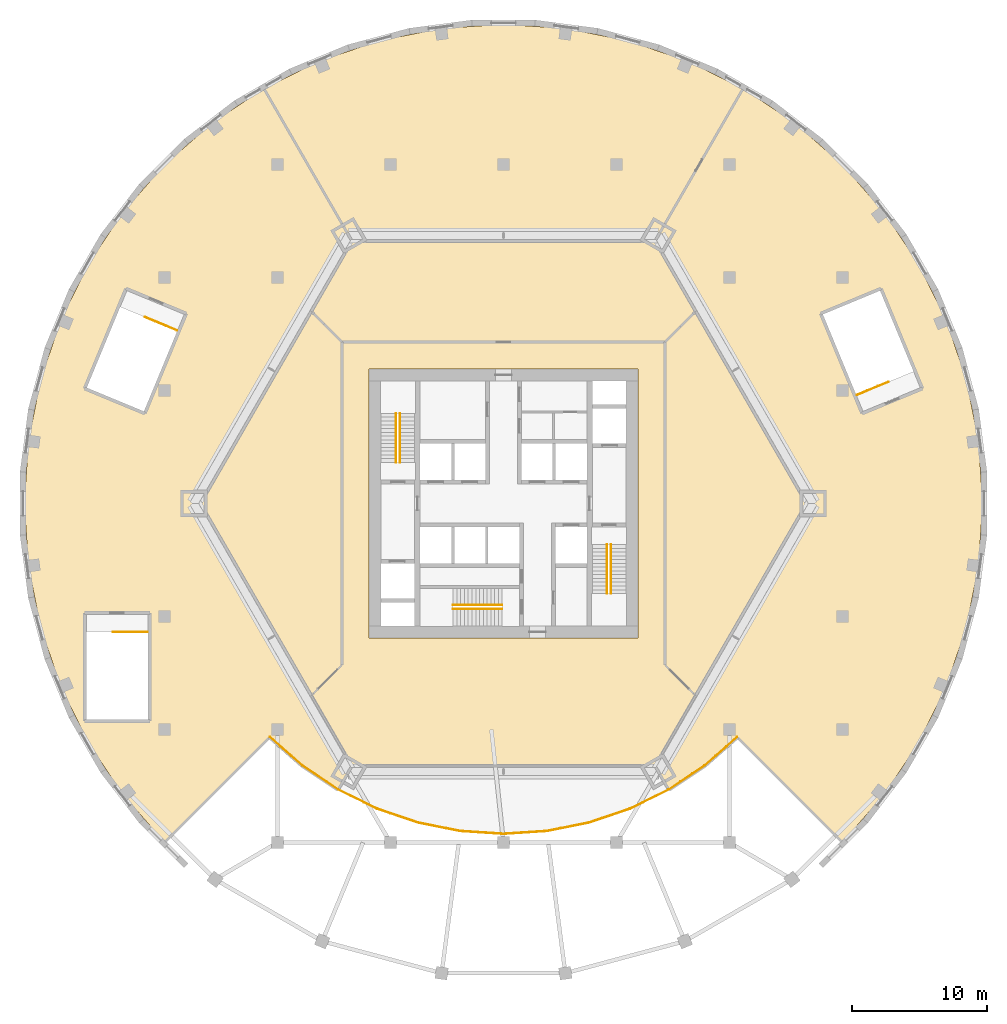
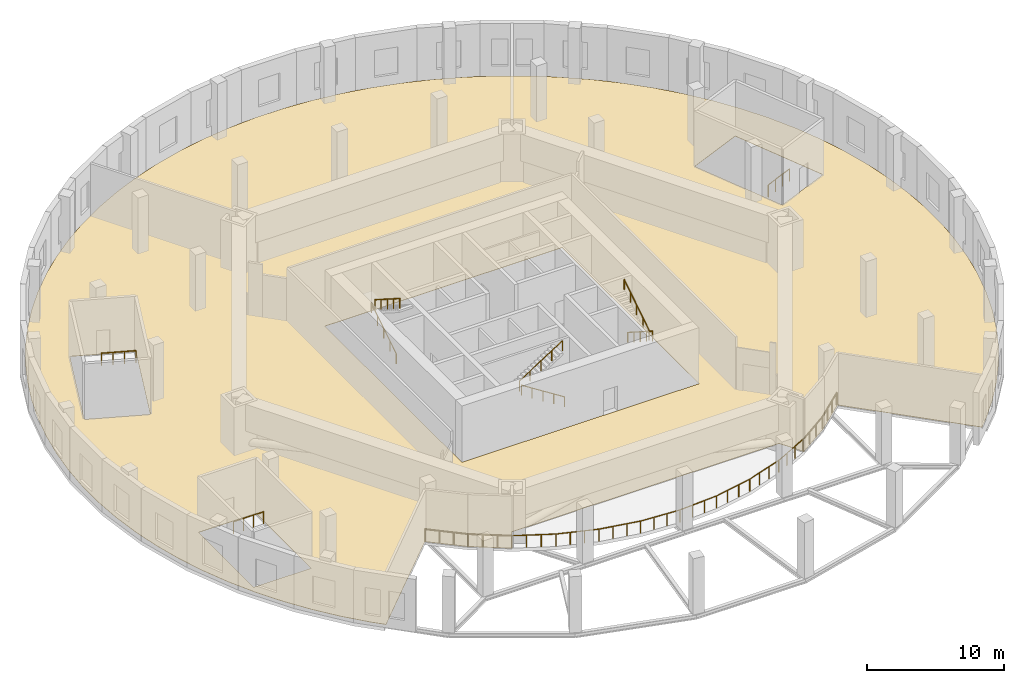
# One storey, part 10 of 10: 21 railings, 1 covering.
"""IFC4 building model written with IfcOpenShell, lengths in metres."""

from ifc_helpers import new_model, si_unit, direction, frame, origin, origin_2d, place, context, subcontext, project, spatial, polyline, circle, outline, extrude, material, layer, layer_set, type_object, element, save


model = new_model("IFC4")

# Units and contexts
model_context = context("Model", 3, precision=1e-05, world=origin(), true_north=direction((0.0, 1.0)))
body_context = subcontext(model_context, "Body", "Model", "MODEL_VIEW")
ifc_project = project(units=[si_unit("LENGTHUNIT", "METRE"), si_unit("AREAUNIT", "SQUARE_METRE"), si_unit("VOLUMEUNIT", "CUBIC_METRE"), si_unit("PLANEANGLEUNIT", "RADIAN"), si_unit("MASSUNIT", "GRAM", prefix="KILO")], contexts=[model_context])

# Site, building, storey
site_placement = place(None, origin())
site = spatial("IfcSite", under=ifc_project, at=site_placement, CompositionType="ELEMENT")
building_placement = place(site_placement, origin())
building = spatial("IfcBuilding", under=site, at=building_placement, Name="Golbaran Civic Tower", CompositionType="ELEMENT")
storey_placement = place(building_placement, frame((0.0, 0.0, 16.0)))
storey = spatial("IfcBuildingStorey", under=building, at=storey_placement, Name="L03", CompositionType="ELEMENT", Elevation=16.0)

# Railings
ifc_material_1 = material(Name="Laminated glass, bronze rail", Category="glass")
railing_type_1 = type_object("IfcRailingType", Name="ATRIUM BALUSTRADE 1100", PredefinedType="GUARDRAIL", material=ifc_material_1)
railing_1_placement = place(storey_placement, frame((-17.359375, -17.359375, 0.0)))
element("IfcRailing", 1, at=railing_1_placement, inside=storey, type_object=railing_type_1, Name="Atrium balustrade L03 1", PredefinedType="GUARDRAIL", context=body_context, shape_type="SweptSolid", body=[
    extrude(circle(Radius=0.02392578125, at=origin_2d()), frame((0.0, 0.0, 1.076171875), z_axis=(0.751817957378, -0.659370729532, 0.0), x_axis=(0.659370729532, 0.751817957378, 0.0)), (0.0, 0.0, 1.0), 3.211181640625),
    extrude(circle(Radius=0.02099609375, at=origin_2d()), origin(), (0.0, 0.0, 1.0), 1.052001953125),
    extrude(circle(Radius=0.02099609375, at=origin_2d()), frame((0.8046875, -0.705810546875, 0.0)), (0.0, 0.0, 1.0), 1.052001953125),
    extrude(circle(Radius=0.02099609375, at=origin_2d()), frame((1.609619140625, -1.41162109375, 0.0)), (0.0, 0.0, 1.0), 1.052001953125),
    extrude(circle(Radius=0.02099609375, at=origin_2d()), frame((2.414306640625, -2.117431640625, 0.0)), (0.0, 0.0, 1.0), 1.052001953125),
])
railing_2_placement = place(storey_placement, frame((-14.945068359375, -19.476806640625, 0.0)))
element("IfcRailing", 2, at=railing_2_placement, inside=storey, type_object=railing_type_1, Name="Atrium balustrade L03 2", PredefinedType="GUARDRAIL", context=body_context, shape_type="SweptSolid", body=[
    extrude(circle(Radius=0.02392578125, at=origin_2d()), frame((0.0, 0.0, 1.076171875), z_axis=(0.831465038594, -0.555577077997, 0.0), x_axis=(0.555577077997, 0.831465038594, 0.0)), (0.0, 0.0, 1.0), 3.21142578125),
    extrude(circle(Radius=0.02099609375, at=origin_2d()), origin(), (0.0, 0.0, 1.0), 1.052001953125),
    extrude(circle(Radius=0.02099609375, at=origin_2d()), frame((0.89013671875, -0.5947265625, 0.0)), (0.0, 0.0, 1.0), 1.052001953125),
    extrude(circle(Radius=0.02099609375, at=origin_2d()), frame((1.780029296875, -1.189453125, 0.0)), (0.0, 0.0, 1.0), 1.052001953125),
    extrude(circle(Radius=0.02099609375, at=origin_2d()), frame((2.670166015625, -1.7841796875, 0.0)), (0.0, 0.0, 1.0), 1.052001953125),
])
railing_3_placement = place(storey_placement, frame((-12.27490234375, -21.260986328125, 0.0)))
element("IfcRailing", 3, at=railing_3_placement, inside=storey, type_object=railing_type_1, Name="Atrium balustrade L03 3", PredefinedType="GUARDRAIL", context=body_context, shape_type="SweptSolid", body=[
    extrude(circle(Radius=0.02392578125, at=origin_2d()), frame((0.0, 0.0, 1.076171875), z_axis=(0.896891939114, -0.442249759246, 0.0), x_axis=(0.442249759246, 0.896891939114, 0.0)), (0.0, 0.0, 1.0), 3.211181640625),
    extrude(circle(Radius=0.02099609375, at=origin_2d()), origin(), (0.0, 0.0, 1.0), 1.052001953125),
    extrude(circle(Radius=0.02099609375, at=origin_2d()), frame((0.9599609375, -0.473388671875, 0.0)), (0.0, 0.0, 1.0), 1.052001953125),
    extrude(circle(Radius=0.02099609375, at=origin_2d()), frame((1.920166015625, -0.94677734375, 0.0)), (0.0, 0.0, 1.0), 1.052001953125),
    extrude(circle(Radius=0.02099609375, at=origin_2d()), frame((2.880126953125, -1.420166015625, 0.0)), (0.0, 0.0, 1.0), 1.052001953125),
])
railing_4_placement = place(storey_placement, frame((-9.394775390625, -22.68115234375, 0.0)))
element("IfcRailing", 4, at=railing_4_placement, inside=storey, type_object=railing_type_1, Name="Atrium balustrade L03 4", PredefinedType="GUARDRAIL", context=body_context, shape_type="SweptSolid", body=[
    extrude(circle(Radius=0.02392578125, at=origin_2d()), frame((0.0, 0.0, 1.076171875), z_axis=(0.946927879989, -0.321446092059, 0.0), x_axis=(0.321446092059, 0.946927879989, 0.0)), (0.0, 0.0, 1.0), 3.211181640625),
    extrude(circle(Radius=0.02099609375, at=origin_2d()), origin(), (0.0, 0.0, 1.0), 1.052001953125),
    extrude(circle(Radius=0.02099609375, at=origin_2d()), frame((1.013671875, -0.343994140625, 0.0)), (0.0, 0.0, 1.0), 1.052001953125),
    extrude(circle(Radius=0.02099609375, at=origin_2d()), frame((2.027099609375, -0.688232421875, 0.0)), (0.0, 0.0, 1.0), 1.052001953125),
    extrude(circle(Radius=0.02099609375, at=origin_2d()), frame((3.040771484375, -1.0322265625, 0.0)), (0.0, 0.0, 1.0), 1.052001953125),
])
railing_5_placement = place(storey_placement, frame((-6.35400390625, -23.71337890625, 0.0)))
element("IfcRailing", 5, at=railing_5_placement, inside=storey, type_object=railing_type_1, Name="Atrium balustrade L03 5", PredefinedType="GUARDRAIL", context=body_context, shape_type="SweptSolid", body=[
    extrude(circle(Radius=0.02392578125, at=origin_2d()), frame((0.0, 0.0, 1.076171875), z_axis=(0.9807731825, -0.19515113243, 0.0), x_axis=(0.19515113243, 0.9807731825, 0.0)), (0.0, 0.0, 1.0), 3.21142578125),
    extrude(circle(Radius=0.02099609375, at=origin_2d()), origin(), (0.0, 0.0, 1.0), 1.052001953125),
    extrude(circle(Radius=0.02099609375, at=origin_2d()), frame((1.0498046875, -0.208984375, 0.0)), (0.0, 0.0, 1.0), 1.052001953125),
    extrude(circle(Radius=0.02099609375, at=origin_2d()), frame((2.099853515625, -0.417724609375, 0.0)), (0.0, 0.0, 1.0), 1.052001953125),
    extrude(circle(Radius=0.02099609375, at=origin_2d()), frame((3.149658203125, -0.626708984375, 0.0)), (0.0, 0.0, 1.0), 1.052001953125),
])
railing_6_placement = place(storey_placement, frame((-3.204345703125, -24.340087890625, 0.0)))
element("IfcRailing", 6, at=railing_6_placement, inside=storey, type_object=railing_type_1, Name="Atrium balustrade L03 6", PredefinedType="GUARDRAIL", context=body_context, shape_type="SweptSolid", body=[
    extrude(circle(Radius=0.02392578125, at=origin_2d()), frame((0.0, 0.0, 1.076171875), z_axis=(0.997860202938, -0.065383601869, 0.0), x_axis=(0.065383601869, 0.997860202938, 0.0)), (0.0, 0.0, 1.0), 3.211181640625),
    extrude(circle(Radius=0.02099609375, at=origin_2d()), origin(), (0.0, 0.0, 1.0), 1.052001953125),
    extrude(circle(Radius=0.02099609375, at=origin_2d()), frame((1.068115234375, -0.070068359375, 0.0)), (0.0, 0.0, 1.0), 1.052001953125),
    extrude(circle(Radius=0.02099609375, at=origin_2d()), frame((2.13623046875, -0.139892578125, 0.0)), (0.0, 0.0, 1.0), 1.052001953125),
    extrude(circle(Radius=0.02099609375, at=origin_2d()), frame((3.204345703125, -0.2099609375, 0.0)), (0.0, 0.0, 1.0), 1.052001953125),
])
railing_7_placement = place(storey_placement, frame((0.0, -24.550048828125, 0.0)))
element("IfcRailing", 7, at=railing_7_placement, inside=storey, type_object=railing_type_1, Name="Atrium balustrade L03 7", PredefinedType="GUARDRAIL", context=body_context, shape_type="SweptSolid", body=[
    extrude(circle(Radius=0.02392578125, at=origin_2d()), frame((0.0, 0.0, 1.076171875), z_axis=(0.997860202938, 0.065383601869, 0.0), x_axis=(-0.065383601869, 0.997860202938, 0.0)), (0.0, 0.0, 1.0), 3.211181640625),
    extrude(circle(Radius=0.02099609375, at=origin_2d()), origin(), (0.0, 0.0, 1.0), 1.052001953125),
    extrude(circle(Radius=0.02099609375, at=origin_2d()), frame((1.068115234375, 0.070068359375, 0.0)), (0.0, 0.0, 1.0), 1.052001953125),
    extrude(circle(Radius=0.02099609375, at=origin_2d()), frame((2.13623046875, 0.139892578125, 0.0)), (0.0, 0.0, 1.0), 1.052001953125),
    extrude(circle(Radius=0.02099609375, at=origin_2d()), frame((3.204345703125, 0.2099609375, 0.0)), (0.0, 0.0, 1.0), 1.052001953125),
])
railing_8_placement = place(storey_placement, frame((3.204345703125, -24.340087890625, 0.0)))
element("IfcRailing", 8, at=railing_8_placement, inside=storey, type_object=railing_type_1, Name="Atrium balustrade L03 8", PredefinedType="GUARDRAIL", context=body_context, shape_type="SweptSolid", body=[
    extrude(circle(Radius=0.02392578125, at=origin_2d()), frame((0.0, 0.0, 1.076171875), z_axis=(0.9807731825, 0.19515113243, 0.0), x_axis=(-0.19515113243, 0.9807731825, 0.0)), (0.0, 0.0, 1.0), 3.21142578125),
    extrude(circle(Radius=0.02099609375, at=origin_2d()), origin(), (0.0, 0.0, 1.0), 1.052001953125),
    extrude(circle(Radius=0.02099609375, at=origin_2d()), frame((1.0498046875, 0.208984375, 0.0)), (0.0, 0.0, 1.0), 1.052001953125),
    extrude(circle(Radius=0.02099609375, at=origin_2d()), frame((2.099853515625, 0.417724609375, 0.0)), (0.0, 0.0, 1.0), 1.052001953125),
    extrude(circle(Radius=0.02099609375, at=origin_2d()), frame((3.149658203125, 0.626708984375, 0.0)), (0.0, 0.0, 1.0), 1.052001953125),
])
railing_9_placement = place(storey_placement, frame((6.35400390625, -23.71337890625, 0.0)))
element("IfcRailing", 9, at=railing_9_placement, inside=storey, type_object=railing_type_1, Name="Atrium balustrade L03 9", PredefinedType="GUARDRAIL", context=body_context, shape_type="SweptSolid", body=[
    extrude(circle(Radius=0.02392578125, at=origin_2d()), frame((0.0, 0.0, 1.076171875), z_axis=(0.946927879989, 0.321446092059, 0.0), x_axis=(-0.321446092059, 0.946927879989, 0.0)), (0.0, 0.0, 1.0), 3.211181640625),
    extrude(circle(Radius=0.02099609375, at=origin_2d()), origin(), (0.0, 0.0, 1.0), 1.052001953125),
    extrude(circle(Radius=0.02099609375, at=origin_2d()), frame((1.013671875, 0.343994140625, 0.0)), (0.0, 0.0, 1.0), 1.052001953125),
    extrude(circle(Radius=0.02099609375, at=origin_2d()), frame((2.027099609375, 0.688232421875, 0.0)), (0.0, 0.0, 1.0), 1.052001953125),
    extrude(circle(Radius=0.02099609375, at=origin_2d()), frame((3.040771484375, 1.0322265625, 0.0)), (0.0, 0.0, 1.0), 1.052001953125),
])
railing_10_placement = place(storey_placement, frame((9.394775390625, -22.68115234375, 0.0)))
element("IfcRailing", 10, at=railing_10_placement, inside=storey, type_object=railing_type_1, Name="Atrium balustrade L03 10", PredefinedType="GUARDRAIL", context=body_context, shape_type="SweptSolid", body=[
    extrude(circle(Radius=0.02392578125, at=origin_2d()), frame((0.0, 0.0, 1.076171875), z_axis=(0.896891939114, 0.442249759246, 0.0), x_axis=(-0.442249759246, 0.896891939114, 0.0)), (0.0, 0.0, 1.0), 3.211181640625),
    extrude(circle(Radius=0.02099609375, at=origin_2d()), origin(), (0.0, 0.0, 1.0), 1.052001953125),
    extrude(circle(Radius=0.02099609375, at=origin_2d()), frame((0.9599609375, 0.473388671875, 0.0)), (0.0, 0.0, 1.0), 1.052001953125),
    extrude(circle(Radius=0.02099609375, at=origin_2d()), frame((1.920166015625, 0.94677734375, 0.0)), (0.0, 0.0, 1.0), 1.052001953125),
    extrude(circle(Radius=0.02099609375, at=origin_2d()), frame((2.880126953125, 1.420166015625, 0.0)), (0.0, 0.0, 1.0), 1.052001953125),
])
railing_11_placement = place(storey_placement, frame((12.27490234375, -21.260986328125, 0.0)))
element("IfcRailing", 11, at=railing_11_placement, inside=storey, type_object=railing_type_1, Name="Atrium balustrade L03 11", PredefinedType="GUARDRAIL", context=body_context, shape_type="SweptSolid", body=[
    extrude(circle(Radius=0.02392578125, at=origin_2d()), frame((0.0, 0.0, 1.076171875), z_axis=(0.831465038594, 0.555577077997, 0.0), x_axis=(-0.555577077997, 0.831465038594, 0.0)), (0.0, 0.0, 1.0), 3.21142578125),
    extrude(circle(Radius=0.02099609375, at=origin_2d()), origin(), (0.0, 0.0, 1.0), 1.052001953125),
    extrude(circle(Radius=0.02099609375, at=origin_2d()), frame((0.89013671875, 0.5947265625, 0.0)), (0.0, 0.0, 1.0), 1.052001953125),
    extrude(circle(Radius=0.02099609375, at=origin_2d()), frame((1.780029296875, 1.189453125, 0.0)), (0.0, 0.0, 1.0), 1.052001953125),
    extrude(circle(Radius=0.02099609375, at=origin_2d()), frame((2.670166015625, 1.7841796875, 0.0)), (0.0, 0.0, 1.0), 1.052001953125),
])
railing_12_placement = place(storey_placement, frame((14.945068359375, -19.476806640625, 0.0)))
element("IfcRailing", 12, at=railing_12_placement, inside=storey, type_object=railing_type_1, Name="Atrium balustrade L03 12", PredefinedType="GUARDRAIL", context=body_context, shape_type="SweptSolid", body=[
    extrude(circle(Radius=0.02392578125, at=origin_2d()), frame((0.0, 0.0, 1.076171875), z_axis=(0.751817957378, 0.659370729532, 0.0), x_axis=(-0.659370729532, 0.751817957378, 0.0)), (0.0, 0.0, 1.0), 3.211181640625),
    extrude(circle(Radius=0.02099609375, at=origin_2d()), origin(), (0.0, 0.0, 1.0), 1.052001953125),
    extrude(circle(Radius=0.02099609375, at=origin_2d()), frame((0.8046875, 0.705810546875, 0.0)), (0.0, 0.0, 1.0), 1.052001953125),
    extrude(circle(Radius=0.02099609375, at=origin_2d()), frame((1.609619140625, 1.41162109375, 0.0)), (0.0, 0.0, 1.0), 1.052001953125),
    extrude(circle(Radius=0.02099609375, at=origin_2d()), frame((2.414306640625, 2.117431640625, 0.0)), (0.0, 0.0, 1.0), 1.052001953125),
])
ifc_material_2 = material(Name="Steel balustrade", Category="steel")
railing_type_2 = type_object("IfcRailingType", Name="STAIR GUARD 1100", PredefinedType="GUARDRAIL", material=ifc_material_2)
railing_13_placement = place(storey_placement, frame((26.26318359375, 8.064208984375, 0.0)))
element("IfcRailing", 13, at=railing_13_placement, inside=storey, type_object=railing_type_2, Name="Stair P1 top landing guard", PredefinedType="GUARDRAIL", context=body_context, shape_type="SweptSolid", body=[
    extrude(circle(Radius=0.02392578125, at=origin_2d()), frame((0.0, 0.0, 1.076171875), z_axis=(0.923870956333, 0.382704136435, 0.0), x_axis=(-0.382704136435, 0.923870956333, 0.0)), (0.0, 0.0, 1.0), 2.5498046875),
    extrude(circle(Radius=0.02099609375, at=origin_2d()), origin(), (0.0, 0.0, 1.0), 1.052001953125),
    extrude(circle(Radius=0.02099609375, at=origin_2d()), frame((0.78515625, 0.3251953125, 0.0)), (0.0, 0.0, 1.0), 1.052001953125),
    extrude(circle(Radius=0.02099609375, at=origin_2d()), frame((1.570556640625, 0.650634765625, 0.0)), (0.0, 0.0, 1.0), 1.052001953125),
    extrude(circle(Radius=0.02099609375, at=origin_2d()), frame((2.355712890625, 0.975830078125, 0.0)), (0.0, 0.0, 1.0), 1.052001953125),
])
railing_14_placement = place(storey_placement, frame((-24.273193359375, 12.868408203125, 0.0)))
element("IfcRailing", 14, at=railing_14_placement, inside=storey, type_object=railing_type_2, Name="Stair P2 top landing guard", PredefinedType="GUARDRAIL", context=body_context, shape_type="SweptSolid", body=[
    extrude(circle(Radius=0.02392578125, at=origin_2d()), frame((0.0, 0.0, 1.076171875), z_axis=(-0.923870956333, 0.382704136435, 0.0), x_axis=(-0.382704136435, -0.923870956333, 0.0)), (0.0, 0.0, 1.0), 2.5498046875),
    extrude(circle(Radius=0.02099609375, at=origin_2d()), origin(), (0.0, 0.0, 1.0), 1.052001953125),
    extrude(circle(Radius=0.02099609375, at=origin_2d()), frame((-0.78515625, 0.3251953125, 0.0)), (0.0, 0.0, 1.0), 1.052001953125),
    extrude(circle(Radius=0.02099609375, at=origin_2d()), frame((-1.570556640625, 0.650634765625, 0.0)), (0.0, 0.0, 1.0), 1.052001953125),
    extrude(circle(Radius=0.02099609375, at=origin_2d()), frame((-2.355712890625, 0.975830078125, 0.0)), (0.0, 0.0, 1.0), 1.052001953125),
])
railing_15_placement = place(storey_placement, frame((-26.449951171875, -9.550048828125, 0.0)))
element("IfcRailing", 15, at=railing_15_placement, inside=storey, type_object=railing_type_2, Name="Stair P3 top landing guard", PredefinedType="GUARDRAIL", context=body_context, shape_type="SweptSolid", body=[
    extrude(circle(Radius=0.02392578125, at=origin_2d()), frame((0.0, 0.0, 1.076171875), z_axis=(-1.0, 0.0, 0.0), x_axis=(0.0, -1.0, 0.0)), (0.0, 0.0, 1.0), 2.550048828125),
    extrude(circle(Radius=0.02099609375, at=origin_2d()), origin(), (0.0, 0.0, 1.0), 1.052001953125),
    extrude(circle(Radius=0.02099609375, at=origin_2d()), frame((-0.85009765625, 0.0, 0.0)), (0.0, 0.0, 1.0), 1.052001953125),
    extrude(circle(Radius=0.02099609375, at=origin_2d()), frame((-1.699951171875, 0.0, 0.0)), (0.0, 0.0, 1.0), 1.052001953125),
    extrude(circle(Radius=0.02099609375, at=origin_2d()), frame((-2.550048828125, 0.0, 0.0)), (0.0, 0.0, 1.0), 1.052001953125),
])
ifc_material_3 = material(Name="Stainless steel", Category="steel")
railing_type_3 = type_object("IfcRailingType", Name="STAIR HANDRAIL 900", PredefinedType="HANDRAIL", material=ifc_material_3)
railing_16_placement = place(storey_placement, frame((-8.0, 3.050048828125, 0.178466796875)))
element("IfcRailing", 16, at=railing_16_placement, inside=storey, type_object=railing_type_3, Name="Stair S1 handrail flight 1 L03", PredefinedType="HANDRAIL", context=body_context, shape_type="SweptSolid", body=[
    extrude(circle(Radius=0.02392578125, at=origin_2d()), frame((0.0, 0.0, 0.8759765625), z_axis=(0.0, 0.843111507901, 0.53773877045), x_axis=(-1.0, 0.0, 0.0)), (0.0, 0.0, 1.0), 4.317138671875),
    extrude(circle(Radius=0.02099609375, at=origin_2d()), origin(), (0.0, 0.0, 1.0), 0.851806640625),
    extrude(circle(Radius=0.02099609375, at=origin_2d()), frame((0.0, 0.909912109375, 0.580322265625)), (0.0, 0.0, 1.0), 0.851806640625),
    extrude(circle(Radius=0.02099609375, at=origin_2d()), frame((0.0, 1.81982421875, 1.16064453125)), (0.0, 0.0, 1.0), 0.851806640625),
    extrude(circle(Radius=0.02099609375, at=origin_2d()), frame((0.0, 2.72998046875, 1.7412109375)), (0.0, 0.0, 1.0), 0.851806640625),
    extrude(circle(Radius=0.02099609375, at=origin_2d()), frame((0.0, 3.639892578125, 2.321533203125)), (0.0, 0.0, 1.0), 0.851806640625),
])
for number, where, name in (
    (17, (-7.699951171875, 6.68994140625, 2.678466796875), "Stair S1 handrail flight 2 L03"),
    (18, (8.0, -3.050048828125, 0.178466796875), "Stair S2 handrail flight 1 L03"),
):
    element("IfcRailing", number, at=place(storey_placement, frame(where)), inside=storey, type_object=railing_type_3, Name=name, PredefinedType="HANDRAIL", context=body_context, shape_type="SweptSolid", body=[
        extrude(circle(Radius=0.02392578125, at=origin_2d()), frame((0.0, 0.0, 0.8759765625), z_axis=(0.0, -0.843111507901, 0.53773877045), x_axis=(1.0, 0.0, 0.0)), (0.0, 0.0, 1.0), 4.317138671875),
        extrude(circle(Radius=0.02099609375, at=origin_2d()), origin(), (0.0, 0.0, 1.0), 0.851806640625),
        extrude(circle(Radius=0.02099609375, at=origin_2d()), frame((0.0, -0.909912109375, 0.580322265625)), (0.0, 0.0, 1.0), 0.851806640625),
        extrude(circle(Radius=0.02099609375, at=origin_2d()), frame((0.0, -1.81982421875, 1.16064453125)), (0.0, 0.0, 1.0), 0.851806640625),
        extrude(circle(Radius=0.02099609375, at=origin_2d()), frame((0.0, -2.72998046875, 1.7412109375)), (0.0, 0.0, 1.0), 0.851806640625),
        extrude(circle(Radius=0.02099609375, at=origin_2d()), frame((0.0, -3.639892578125, 2.321533203125)), (0.0, 0.0, 1.0), 0.851806640625),
    ])
railing_17_placement = place(storey_placement, frame((7.699951171875, -6.68994140625, 2.678466796875)))
element("IfcRailing", 19, at=railing_17_placement, inside=storey, type_object=railing_type_3, Name="Stair S2 handrail flight 2 L03", PredefinedType="HANDRAIL", context=body_context, shape_type="SweptSolid", body=[
    extrude(circle(Radius=0.02392578125, at=origin_2d()), frame((0.0, 0.0, 0.8759765625), z_axis=(0.0, 0.843111507901, 0.53773877045), x_axis=(-1.0, 0.0, 0.0)), (0.0, 0.0, 1.0), 4.317138671875),
    extrude(circle(Radius=0.02099609375, at=origin_2d()), origin(), (0.0, 0.0, 1.0), 0.851806640625),
    extrude(circle(Radius=0.02099609375, at=origin_2d()), frame((0.0, 0.909912109375, 0.580322265625)), (0.0, 0.0, 1.0), 0.851806640625),
    extrude(circle(Radius=0.02099609375, at=origin_2d()), frame((0.0, 1.81982421875, 1.16064453125)), (0.0, 0.0, 1.0), 0.851806640625),
    extrude(circle(Radius=0.02099609375, at=origin_2d()), frame((0.0, 2.72998046875, 1.7412109375)), (0.0, 0.0, 1.0), 0.851806640625),
    extrude(circle(Radius=0.02099609375, at=origin_2d()), frame((0.0, 3.639892578125, 2.321533203125)), (0.0, 0.0, 1.0), 0.851806640625),
])
railing_18_placement = place(storey_placement, frame((-0.10009765625, -7.85009765625, 0.178466796875)))
element("IfcRailing", 20, at=railing_18_placement, inside=storey, type_object=railing_type_3, Name="Stair S3 handrail flight 1 L03", PredefinedType="HANDRAIL", context=body_context, shape_type="SweptSolid", body=[
    extrude(circle(Radius=0.02392578125, at=origin_2d()), frame((0.0, 0.0, 0.8759765625), z_axis=(-0.843111507901, 0.0, 0.53773877045), x_axis=(0.0, -1.0, 0.0)), (0.0, 0.0, 1.0), 4.317138671875),
    extrude(circle(Radius=0.02099609375, at=origin_2d()), origin(), (0.0, 0.0, 1.0), 0.851806640625),
    extrude(circle(Radius=0.02099609375, at=origin_2d()), frame((-0.909912109375, 0.0, 0.580322265625)), (0.0, 0.0, 1.0), 0.851806640625),
    extrude(circle(Radius=0.02099609375, at=origin_2d()), frame((-1.81982421875, 0.0, 1.16064453125)), (0.0, 0.0, 1.0), 0.851806640625),
    extrude(circle(Radius=0.02099609375, at=origin_2d()), frame((-2.72998046875, 0.0, 1.7412109375)), (0.0, 0.0, 1.0), 0.851806640625),
    extrude(circle(Radius=0.02099609375, at=origin_2d()), frame((-3.639892578125, 0.0, 2.321533203125)), (0.0, 0.0, 1.0), 0.851806640625),
])
railing_19_placement = place(storey_placement, frame((-3.739990234375, -7.550048828125, 2.678466796875)))
element("IfcRailing", 21, at=railing_19_placement, inside=storey, type_object=railing_type_3, Name="Stair S3 handrail flight 2 L03", PredefinedType="HANDRAIL", context=body_context, shape_type="SweptSolid", body=[
    extrude(circle(Radius=0.02392578125, at=origin_2d()), frame((0.0, 0.0, 0.8759765625), z_axis=(0.843111507901, 0.0, 0.53773877045), x_axis=(0.0, 1.0, 0.0)), (0.0, 0.0, 1.0), 4.317138671875),
    extrude(circle(Radius=0.02099609375, at=origin_2d()), origin(), (0.0, 0.0, 1.0), 0.851806640625),
    extrude(circle(Radius=0.02099609375, at=origin_2d()), frame((0.909912109375, 0.0, 0.580322265625)), (0.0, 0.0, 1.0), 0.851806640625),
    extrude(circle(Radius=0.02099609375, at=origin_2d()), frame((1.81982421875, 0.0, 1.16064453125)), (0.0, 0.0, 1.0), 0.851806640625),
    extrude(circle(Radius=0.02099609375, at=origin_2d()), frame((2.72998046875, 0.0, 1.7412109375)), (0.0, 0.0, 1.0), 0.851806640625),
    extrude(circle(Radius=0.02099609375, at=origin_2d()), frame((3.639892578125, 0.0, 2.321533203125)), (0.0, 0.0, 1.0), 0.851806640625),
])

# Covering
ifc_material_4 = material(Name="Travertine tile on mortar bed", Category="masonry")
ifc_layer = layer(ifc_material_4, 0.030029296875, Name="Travertine tile on mortar bed")
ifc_layer_set = layer_set([ifc_layer], Name="Travertine tile on mortar bed")
covering_type = type_object("IfcCoveringType", Name="STONE FLOOR FINISH 30", PredefinedType="FLOORING", material=ifc_layer_set)
covering_placement = place(storey_placement, frame((0.0, 0.0, -0.030029296875)))
element("IfcCovering", 22, at=covering_placement, inside=storey, type_object=covering_type, Name="Stone floor finish L03", PredefinedType="FLOORING", context=body_context, shape_type="SweptSolid", body=[
    extrude(outline(polyline([(-17.394775390625, -17.394775390625), (-25.119140625, -25.119140625), (-25.94140625, -24.296875), (-27.474853515625, -22.548095703125), (-28.890869140625, -20.702880859375), (-30.18310546875, -18.76904296875), (-31.345947265625, -16.7548828125), (-32.374755859375, -14.668701171875), (-33.2646484375, -12.52001953125), (-34.012451171875, -10.317626953125), (-34.6142578125, -8.071044921875), (-35.068115234375, -5.789794921875), (-35.37158203125, -3.48388671875), (-35.523681640625, -1.162841796875), (-35.523681640625, 1.162841796875), (-35.37158203125, 3.48388671875), (-35.068115234375, 5.789794921875), (-34.6142578125, 8.071044921875), (-34.012451171875, 10.317626953125), (-33.2646484375, 12.52001953125), (-32.374755859375, 14.668701171875), (-31.345947265625, 16.7548828125), (-30.18310546875, 18.76904296875), (-28.890869140625, 20.702880859375), (-27.474853515625, 22.548095703125), (-25.94140625, 24.296875), (-24.296875, 25.94140625), (-22.548095703125, 27.474853515625), (-20.702880859375, 28.890869140625), (-18.76904296875, 30.18310546875), (-16.7548828125, 31.345947265625), (-14.668701171875, 32.374755859375), (-12.52001953125, 33.2646484375), (-10.317626953125, 34.012451171875), (-8.071044921875, 34.6142578125), (-5.789794921875, 35.068115234375), (-3.48388671875, 35.37158203125), (-1.162841796875, 35.523681640625), (1.162841796875, 35.523681640625), (3.48388671875, 35.37158203125), (5.789794921875, 35.068115234375), (8.071044921875, 34.6142578125), (10.317626953125, 34.012451171875), (12.52001953125, 33.2646484375), (14.668701171875, 32.374755859375), (16.7548828125, 31.345947265625), (18.76904296875, 30.18310546875), (20.702880859375, 28.890869140625), (22.548095703125, 27.474853515625), (24.296875, 25.94140625), (25.94140625, 24.296875), (27.474853515625, 22.548095703125), (28.890869140625, 20.702880859375), (30.18310546875, 18.76904296875), (31.345947265625, 16.7548828125), (32.374755859375, 14.668701171875), (33.2646484375, 12.52001953125), (34.012451171875, 10.317626953125), (34.6142578125, 8.071044921875), (35.068115234375, 5.789794921875), (35.37158203125, 3.48388671875), (35.523681640625, 1.162841796875), (35.523681640625, -1.162841796875), (35.37158203125, -3.48388671875), (35.068115234375, -5.789794921875), (34.6142578125, -8.071044921875), (34.012451171875, -10.317626953125), (33.2646484375, -12.52001953125), (32.374755859375, -14.668701171875), (31.345947265625, -16.7548828125), (30.18310546875, -18.76904296875), (28.890869140625, -20.702880859375), (27.474853515625, -22.548095703125), (25.94140625, -24.296875), (25.119140625, -25.119140625), (17.394775390625, -17.394775390625), (14.9755859375, -19.5166015625), (12.300048828125, -21.30419921875), (11.257568359375, -19.49853515625), (-11.257568359375, -19.49853515625), (-12.300048828125, -21.30419921875), (-14.9755859375, -19.5166015625), (-17.394775390625, -17.394775390625)]), holes=[polyline([(23.566162109375, 14.117919921875), (26.646728515625, 6.680908203125), (31.12744140625, 8.536865234375), (28.046875, 15.97412109375), (23.566162109375, 14.117919921875)]), polyline([(10.0, -10.0), (10.0, 10.0), (-10.0, 10.0), (-10.0, -10.0), (10.0, -10.0)]), polyline([(-26.646728515625, 6.680908203125), (-23.566162109375, 14.117919921875), (-28.046875, 15.97412109375), (-31.12744140625, 8.536865234375), (-26.646728515625, 6.680908203125)]), polyline([(-26.27490234375, -8.125), (-31.125, -8.125), (-31.125, -16.175048828125), (-26.27490234375, -16.175048828125), (-26.27490234375, -8.125)])]), origin(), (0.0, 0.0, 1.0), 0.030029296875),
])

save(model, "model.ifc")
